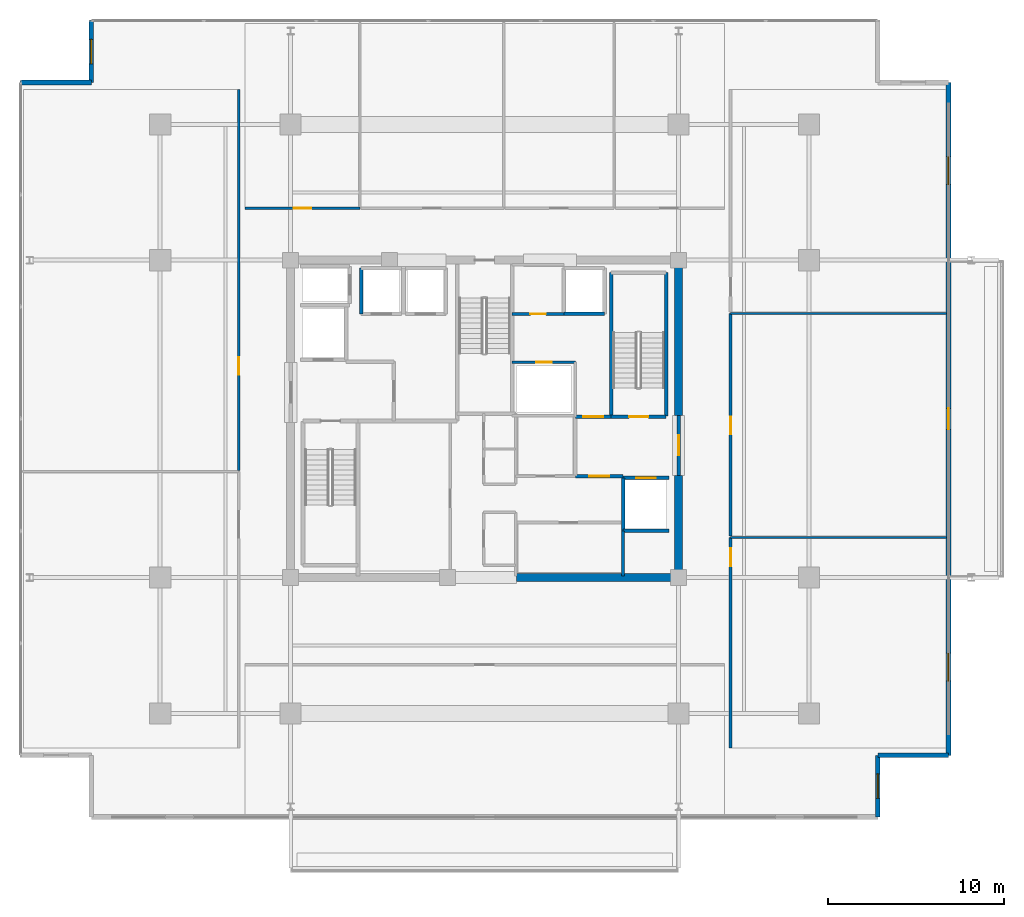
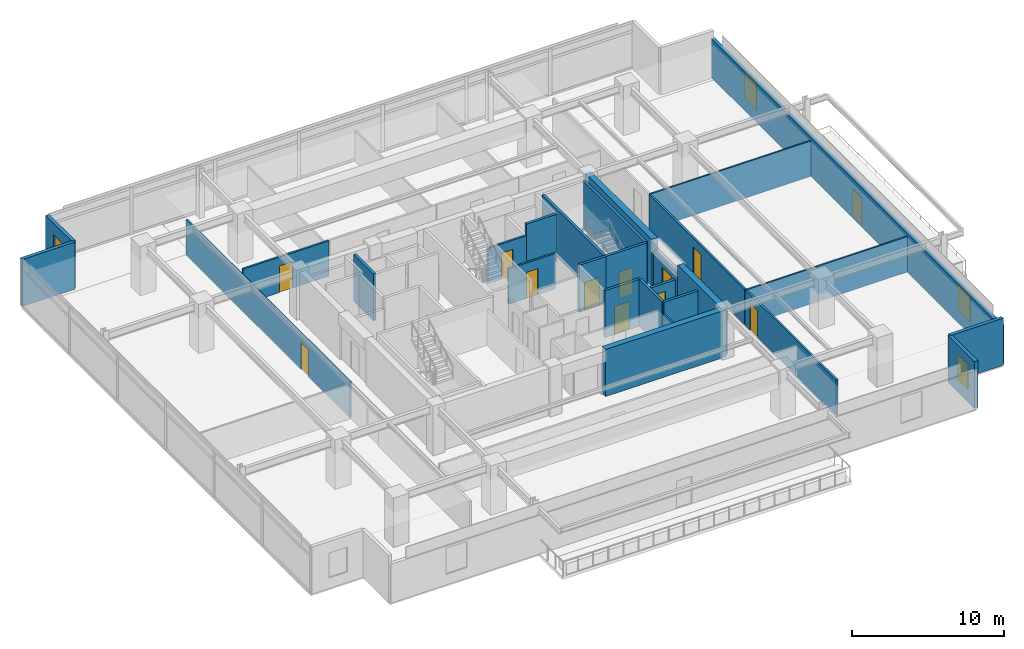
# One storey, part 15 of 21: 28 walls, 12 doors, 4 windows, 16 openings.
"""IFC4 building model written with IfcOpenShell, lengths in metres."""

from ifc_helpers import new_model, si_unit, direction, frame, frame_2d, origin, place, context, subcontext, project, spatial, rectangle, extrude, material, layer, layer_set, type_object, element, fill, save


model = new_model("IFC4")

# Units and contexts
model_context = context("Model", 3, precision=1e-05, world=origin(), true_north=direction((0.0, 1.0)))
body_context = subcontext(model_context, "Body", "Model", "MODEL_VIEW")
ifc_project = project(units=[si_unit("LENGTHUNIT", "METRE"), si_unit("AREAUNIT", "SQUARE_METRE"), si_unit("VOLUMEUNIT", "CUBIC_METRE"), si_unit("PLANEANGLEUNIT", "RADIAN"), si_unit("MASSUNIT", "GRAM", prefix="KILO")], contexts=[model_context])

# Site, building, storey
site_placement = place(None, origin())
site = spatial("IfcSite", under=ifc_project, at=site_placement, CompositionType="ELEMENT")
building_placement = place(site_placement, origin())
building = spatial("IfcBuilding", under=site, at=building_placement, Name="Kovane Verandah Tower", CompositionType="ELEMENT")
storey_placement = place(building_placement, frame((0.0, 0.0, 263.199951171875)))
storey = spatial("IfcBuildingStorey", under=building, at=storey_placement, Name="L61", CompositionType="ELEMENT", Elevation=263.199951171875)

# Wall
ifc_material_1 = material(Name="Fire-Rated Gypsum Stud Partition", Category="gypsum")
ifc_layer_1 = layer(ifc_material_1, 0.14990234375)
ifc_layer_set_1 = layer_set([ifc_layer_1], Name="Fire-Rated Gypsum Stud Partition")
wall_type_1 = type_object("IfcWallType", Name="WL-COR-150", PredefinedType="PARTITIONING", material=ifc_layer_set_1)
wall_1_placement = place(storey_placement, frame((47.85009765625, 18.60009765625, 0.0), z_axis=(0.0, 0.0, 1.0), x_axis=(0.0, 1.0, 0.0)))
element("IfcWall", 1, at=wall_1_placement, inside=storey, type_object=wall_type_1, Name="L61 East Core Support East Wall", PredefinedType="PARTITIONING", context=body_context, shape_type="SweptSolid", body=[
    extrude(rectangle(XDim=2.539794921875, YDim=0.14990234375, at=frame_2d((1.27001953125, 0.0))), origin(), (0.0, 0.0, 1.0), 2.85009765625),
])

# Wall, opening, door
wall_2_placement = place(storey_placement, frame((41.56005859375, 30.719970703125, 0.0), z_axis=(0.0, 0.0, 1.0), x_axis=(1.0, 0.0, 0.0)))
wall_2 = element("IfcWall", 2, at=wall_2_placement, inside=storey, type_object=wall_type_1, Name="L61 Combined Chilled Water and Smoke Duct Room Partition", PredefinedType="PARTITIONING", context=body_context, shape_type="SweptSolid", body=[
    extrude(rectangle(XDim=3.58984375, YDim=0.14990234375, at=frame_2d((1.794921875, 0.0))), origin(), (0.0, 0.0, 1.0), 2.85009765625),
])
opening_1_placement = place(wall_2_placement, frame((1.35498046875, 0.0, 0.0)))
opening_1 = element("IfcOpeningElement", 3, at=opening_1_placement, cuts=wall_2, Name="Opening DR-L61-018", PredefinedType="OPENING", context=body_context, shape_type="SweptSolid", body=[
    extrude(rectangle(XDim=0.8798828125, YDim=2.10009765625, at=frame_2d((0.43994140625, 1.050048828125))), frame((0.0, 0.074951171875, 0.0), z_axis=(0.0, -1.0, 0.0), x_axis=(1.0, 0.0, 0.0)), (0.0, 0.0, 1.0), 0.14990234375),
])
ifc_material_2 = material(Name="Fire-Rated Steel Riser Access Door", Category="steel")
door_type_1 = type_object("IfcDoorType", Name="DR-RISER-880", OperationType="SINGLE_SWING_LEFT", PredefinedType="DOOR", material=ifc_material_2)
door_1_placement = place(opening_1_placement, origin())
door_1 = element("IfcDoor", 4, at=door_1_placement, inside=storey, type_object=door_type_1, Name="L61 Combined Chilled Water and Smoke Duct Room Door", OperationType="SINGLE_SWING_RIGHT", OverallHeight=2.10009765625, OverallWidth=0.8798828125, PredefinedType="DOOR", context=body_context, shape_type="SweptSolid", body=[
    extrude(rectangle(XDim=0.8798828125, YDim=2.10009765625, at=frame_2d((0.43994140625, 1.050048828125))), frame((0.0, 0.02490234375, 0.0), z_axis=(0.0, -1.0, 0.0), x_axis=(1.0, 0.0, 0.0)), (0.0, 0.0, 1.0), 0.050048828125),
])
fill(opening_1, door_1)

wall_3_placement = place(storey_placement, frame((41.56005859375, 33.449951171875, 0.0), z_axis=(0.0, 0.0, 1.0), x_axis=(1.0, 0.0, 0.0)))
wall_3 = element("IfcWall", 5, at=wall_3_placement, inside=storey, type_object=wall_type_1, Name="L61 Sky Telecom Riser Room Partition", PredefinedType="PARTITIONING", context=body_context, shape_type="SweptSolid", body=[
    extrude(rectangle(XDim=2.93994140625, YDim=0.14990234375, at=frame_2d((1.469970703125, 0.0))), origin(), (0.0, 0.0, 1.0), 2.85009765625),
])
opening_2_placement = place(wall_3_placement, frame((1.030029296875, 0.0, 0.0)))
opening_2 = element("IfcOpeningElement", 6, at=opening_2_placement, cuts=wall_3, Name="Opening DR-L61-017", PredefinedType="OPENING", context=body_context, shape_type="SweptSolid", body=[
    extrude(rectangle(XDim=0.8798828125, YDim=2.10009765625, at=frame_2d((0.43994140625, 1.050048828125))), frame((0.0, 0.074951171875, 0.0), z_axis=(0.0, -1.0, 0.0), x_axis=(1.0, 0.0, 0.0)), (0.0, 0.0, 1.0), 0.14990234375),
])
door_2_placement = place(opening_2_placement, origin())
door_2 = element("IfcDoor", 7, at=door_2_placement, inside=storey, type_object=door_type_1, Name="L61 Sky Telecom Riser Room Door", OperationType="SINGLE_SWING_LEFT", OverallHeight=2.10009765625, OverallWidth=0.8798828125, PredefinedType="DOOR", context=body_context, shape_type="SweptSolid", body=[
    extrude(rectangle(XDim=0.8798828125, YDim=2.10009765625, at=frame_2d((0.43994140625, 1.050048828125))), frame((0.0, 0.02490234375, 0.0), z_axis=(0.0, -1.0, 0.0), x_axis=(1.0, 0.0, 0.0)), (0.0, 0.0, 1.0), 0.050048828125),
])
fill(opening_2, door_2)

wall_4_placement = place(storey_placement, frame((26.39990234375, 39.449951171875, 0.0), z_axis=(0.0, 0.0, 1.0), x_axis=(1.0, 0.0, 0.0)))
wall_4 = element("IfcWall", 8, at=wall_4_placement, inside=storey, type_object=wall_type_1, Name="L61 Breakout Pantry N1 Corridor Partition", PredefinedType="PARTITIONING", context=body_context, shape_type="SweptSolid", body=[
    extrude(rectangle(XDim=6.528076171875, YDim=0.14990234375, at=frame_2d((3.26416015625, 0.0))), origin(), (0.0, 0.0, 1.0), 2.85009765625),
])
opening_3_placement = place(wall_4_placement, frame((2.779052734375, 0.0, 0.0)))
opening_3 = element("IfcOpeningElement", 9, at=opening_3_placement, cuts=wall_4, Name="Opening DR-L61-019", PredefinedType="OPENING", context=body_context, shape_type="SweptSolid", body=[
    extrude(rectangle(XDim=1.0, YDim=2.14990234375, at=frame_2d((0.5, 1.074951171875))), frame((0.0, 0.074951171875, 0.0), z_axis=(0.0, -1.0, 0.0), x_axis=(1.0, 0.0, 0.0)), (0.0, 0.0, 1.0), 0.14990234375),
])
ifc_material_3 = material(Name="FSC Spotted-Gum Timber Fire-Rated Office Door", Category="wood")
door_type_2 = type_object("IfcDoorType", Name="DR-OFF-1000", OperationType="SINGLE_SWING_LEFT", PredefinedType="DOOR", material=ifc_material_3)
door_3_placement = place(opening_3_placement, origin())
door_3 = element("IfcDoor", 10, at=door_3_placement, inside=storey, type_object=door_type_2, Name="L61 Breakout Pantry N1 Entrance Door", OperationType="SINGLE_SWING_RIGHT", OverallHeight=2.14990234375, OverallWidth=1.0, PredefinedType="DOOR", context=body_context, shape_type="SweptSolid", body=[
    extrude(rectangle(XDim=1.0, YDim=2.14990234375, at=frame_2d((0.5, 1.074951171875))), frame((0.0, 0.02490234375, 0.0), z_axis=(0.0, -1.0, 0.0), x_axis=(1.0, 0.0, 0.0)), (0.0, 0.0, 1.0), 0.050048828125),
])
fill(opening_3, door_3)

wall_5_placement = place(storey_placement, frame((26.050048828125, 24.581298828125, 0.0), z_axis=(0.0, 0.0, 1.0), x_axis=(0.0, 1.0, 0.0)))
wall_5 = element("IfcWall", 11, at=wall_5_placement, inside=storey, type_object=wall_type_1, Name="L61 Meeting Room W2 Corridor Partition", PredefinedType="PARTITIONING", context=body_context, shape_type="SweptSolid", body=[
    extrude(rectangle(XDim=21.5986328125, YDim=0.14990234375, at=frame_2d((10.79931640625, 0.0))), origin(), (0.0, 0.0, 1.0), 2.85009765625),
])
opening_4_placement = place(wall_5_placement, frame((5.409423828125, 0.0, 0.0)))
opening_4 = element("IfcOpeningElement", 12, at=opening_4_placement, cuts=wall_5, Name="Opening DR-L61-028", PredefinedType="OPENING", context=body_context, shape_type="SweptSolid", body=[
    extrude(rectangle(XDim=1.0, YDim=2.14990234375, at=frame_2d((0.5, 1.074951171875))), frame((0.0, 0.074951171875, 0.0), z_axis=(0.0, -1.0, 0.0), x_axis=(1.0, 0.0, 0.0)), (0.0, 0.0, 1.0), 0.14990234375),
])
door_4_placement = place(opening_4_placement, origin())
door_4 = element("IfcDoor", 13, at=door_4_placement, inside=storey, type_object=door_type_2, Name="L61 Meeting Room W2 Entrance Door", OperationType="SINGLE_SWING_RIGHT", OverallHeight=2.14990234375, OverallWidth=1.0, PredefinedType="DOOR", context=body_context, shape_type="SweptSolid", body=[
    extrude(rectangle(XDim=1.0, YDim=2.14990234375, at=frame_2d((0.5, 1.074951171875))), frame((0.0, 0.02490234375, 0.0), z_axis=(0.0, -1.0, 0.0), x_axis=(1.0, 0.0, 0.0)), (0.0, 0.0, 1.0), 0.050048828125),
])
fill(opening_4, door_4)

wall_6_placement = place(storey_placement, frame((53.949951171875, 8.820068359375, 0.0), z_axis=(0.0, 0.0, 1.0), x_axis=(0.0, 1.0, 0.0)))
wall_6 = element("IfcWall", 14, at=wall_6_placement, inside=storey, type_object=wall_type_1, Name="L61 Focus Studio E1 Corridor Partition", PredefinedType="PARTITIONING", context=body_context, shape_type="SweptSolid", body=[
    extrude(rectangle(XDim=11.955078125, YDim=0.14990234375, at=frame_2d((5.9775390625, 0.0))), origin(), (0.0, 0.0, 1.0), 2.85009765625),
])
opening_5_placement = place(wall_6_placement, frame((10.33251953125, 0.0, 0.0)))
opening_5 = element("IfcOpeningElement", 15, at=opening_5_placement, cuts=wall_6, Name="Opening DR-L61-011", PredefinedType="OPENING", context=body_context, shape_type="SweptSolid", body=[
    extrude(rectangle(XDim=1.0, YDim=2.14990234375, at=frame_2d((0.5, 1.074951171875))), frame((0.0, 0.074951171875, 0.0), z_axis=(0.0, -1.0, 0.0), x_axis=(1.0, 0.0, 0.0)), (0.0, 0.0, 1.0), 0.14990234375),
])
door_5_placement = place(opening_5_placement, origin())
door_5 = element("IfcDoor", 16, at=door_5_placement, inside=storey, type_object=door_type_2, Name="L61 Focus Studio E1 Entrance Door", OperationType="SINGLE_SWING_LEFT", OverallHeight=2.14990234375, OverallWidth=1.0, PredefinedType="DOOR", context=body_context, shape_type="SweptSolid", body=[
    extrude(rectangle(XDim=1.0, YDim=2.14990234375, at=frame_2d((0.5, 1.074951171875))), frame((0.0, 0.02490234375, 0.0), z_axis=(0.0, -1.0, 0.0), x_axis=(1.0, 0.0, 0.0)), (0.0, 0.0, 1.0), 0.050048828125),
])
fill(opening_5, door_5)

wall_7_placement = place(storey_placement, frame((53.949951171875, 20.84521484375, 0.0), z_axis=(0.0, 0.0, 1.0), x_axis=(0.0, 1.0, 0.0)))
wall_7 = element("IfcWall", 17, at=wall_7_placement, inside=storey, type_object=wall_type_1, Name="L61 Breakout Pantry E2 Corridor Partition", PredefinedType="PARTITIONING", context=body_context, shape_type="SweptSolid", body=[
    extrude(rectangle(XDim=12.63232421875, YDim=0.14990234375, at=frame_2d((6.316162109375, 0.0))), origin(), (0.0, 0.0, 1.0), 2.85009765625),
])
opening_6_placement = place(wall_7_placement, frame((5.78125, 0.0, 0.0)))
opening_6 = element("IfcOpeningElement", 18, at=opening_6_placement, cuts=wall_7, Name="Opening DR-L61-012", PredefinedType="OPENING", context=body_context, shape_type="SweptSolid", body=[
    extrude(rectangle(XDim=1.0, YDim=2.14990234375, at=frame_2d((0.5, 1.074951171875))), frame((0.0, 0.074951171875, 0.0), z_axis=(0.0, -1.0, 0.0), x_axis=(1.0, 0.0, 0.0)), (0.0, 0.0, 1.0), 0.14990234375),
])
door_6_placement = place(opening_6_placement, origin())
door_6 = element("IfcDoor", 19, at=door_6_placement, inside=storey, type_object=door_type_2, Name="L61 Breakout Pantry E2 Entrance Door", OperationType="SINGLE_SWING_RIGHT", OverallHeight=2.14990234375, OverallWidth=1.0, PredefinedType="DOOR", context=body_context, shape_type="SweptSolid", body=[
    extrude(rectangle(XDim=1.0, YDim=2.14990234375, at=frame_2d((0.5, 1.074951171875))), frame((0.0, 0.02490234375, 0.0), z_axis=(0.0, -1.0, 0.0), x_axis=(1.0, 0.0, 0.0)), (0.0, 0.0, 1.0), 0.050048828125),
])
fill(opening_6, door_6)

# Walls
ifc_material_4 = material(Name="Concrete C60/75", Category="concrete")
ifc_layer_2 = layer(ifc_material_4, 0.449951171875)
ifc_layer_set_2 = layer_set([ifc_layer_2], Name="Concrete C60/75")
wall_type_2 = type_object("IfcWallType", Name="WL-CORE-450", PredefinedType="SHEAR", material=ifc_layer_set_2)
wall_8_placement = place(storey_placement, frame((41.800048828125, 18.5, 0.0), z_axis=(0.0, 0.0, 1.0), x_axis=(1.0, 0.0, 0.0)))
element("IfcWall", 20, at=wall_8_placement, inside=storey, type_object=wall_type_2, Name="L61 Core Shear Wall CS-2", PredefinedType="SHEAR", context=body_context, shape_type="SweptSolid", body=[
    extrude(rectangle(XDim=9.199951171875, YDim=0.449951171875, at=frame_2d((4.60009765625, 0.0))), origin(), (0.0, 0.0, 1.0), 3.78515625),
])
wall_9_placement = place(storey_placement, frame((51.0, 18.5, 0.0), z_axis=(0.0, 0.0, 1.0), x_axis=(0.0, 1.0, 0.0)))
element("IfcWall", 21, at=wall_9_placement, inside=storey, type_object=wall_type_2, Name="L61 Core Shear Wall CE-1", PredefinedType="SHEAR", context=body_context, shape_type="SweptSolid", body=[
    extrude(rectangle(XDim=5.800048828125, YDim=0.449951171875, at=frame_2d((2.89990234375, 0.0))), origin(), (0.0, 0.0, 1.0), 3.78515625),
])
wall_10_placement = place(storey_placement, frame((51.0, 27.699951171875, 0.0), z_axis=(0.0, 0.0, 1.0), x_axis=(0.0, 1.0, 0.0)))
element("IfcWall", 22, at=wall_10_placement, inside=storey, type_object=wall_type_2, Name="L61 Core Shear Wall CE-2", PredefinedType="SHEAR", context=body_context, shape_type="SweptSolid", body=[
    extrude(rectangle(XDim=8.800048828125, YDim=0.449951171875, at=frame_2d((4.39990234375, 0.0))), origin(), (0.0, 0.0, 1.0), 3.78515625),
])

# Wall, opening, door
ifc_material_5 = material(Name="Concrete C45/55 Fire Wall", Category="concrete")
ifc_layer_3 = layer(ifc_material_5, 0.199951171875)
ifc_layer_set_3 = layer_set([ifc_layer_3], Name="Concrete C45/55 Fire Wall")
wall_type_3 = type_object("IfcWallType", Name="WL-FFL-200", PredefinedType="PARTITIONING", material=ifc_layer_set_3)
wall_11_placement = place(storey_placement, frame((45.14990234375, 24.25, 0.0), z_axis=(0.0, 0.0, 1.0), x_axis=(1.0, 0.0, 0.0)))
wall_11 = element("IfcWall", 23, at=wall_11_placement, inside=storey, type_object=wall_type_3, Name="W-L61-FFLE-S", PredefinedType="PARTITIONING", context=body_context, shape_type="SweptSolid", body=[
    extrude(rectangle(XDim=2.7001953125, YDim=0.199951171875, at=frame_2d((1.35009765625, 0.0))), origin(), (0.0, 0.0, 1.0), 3.78515625),
])
opening_7_placement = place(wall_11_placement, frame((0.77490234375, 0.0, 0.0)))
opening_7 = element("IfcOpeningElement", 24, at=opening_7_placement, cuts=wall_11, Name="Opening DR-L61-003", PredefinedType="OPENING", context=body_context, shape_type="SweptSolid", body=[
    extrude(rectangle(XDim=1.14990234375, YDim=2.199951171875, at=frame_2d((0.574951171875, 1.10009765625))), frame((0.0, 0.10009765625, 0.0), z_axis=(0.0, -1.0, 0.0), x_axis=(1.0, 0.0, 0.0)), (0.0, 0.0, 1.0), 0.199951171875),
])
ifc_material_6 = material(Name="Smoke-Sealed Firefighting Lobby Door", Category="steel")
door_type_3 = type_object("IfcDoorType", Name="DR-FFL-1150", OperationType="SINGLE_SWING_LEFT", PredefinedType="DOOR", material=ifc_material_6)
door_7_placement = place(opening_7_placement, origin())
door_7 = element("IfcDoor", 25, at=door_7_placement, inside=storey, type_object=door_type_3, Name="L61 East Firefighting Lobby Inner Door", OperationType="SINGLE_SWING_RIGHT", OverallHeight=2.199951171875, OverallWidth=1.14990234375, PredefinedType="DOOR", context=body_context, shape_type="SweptSolid", body=[
    extrude(rectangle(XDim=1.14990234375, YDim=2.199951171875, at=frame_2d((0.574951171875, 1.10009765625))), frame((0.0, 0.02490234375, 0.0), z_axis=(0.0, -1.0, 0.0), x_axis=(1.0, 0.0, 0.0)), (0.0, 0.0, 1.0), 0.050048828125),
])
fill(opening_7, door_7)

wall_12_placement = place(storey_placement, frame((45.14990234375, 27.6201171875, 0.0), z_axis=(0.0, 0.0, 1.0), x_axis=(1.0, 0.0, 0.0)))
wall_12 = element("IfcWall", 26, at=wall_12_placement, inside=storey, type_object=wall_type_3, Name="W-L61-FFLE-N", PredefinedType="PARTITIONING", context=body_context, shape_type="SweptSolid", body=[
    extrude(rectangle(XDim=2.030029296875, YDim=0.199951171875, at=frame_2d((1.01513671875, 0.0))), origin(), (0.0, 0.0, 1.0), 3.78515625),
])
opening_8_placement = place(wall_12_placement, frame((0.43994140625, 0.0, 0.0)))
opening_8 = element("IfcOpeningElement", 27, at=opening_8_placement, cuts=wall_12, Name="Opening DR-L61-004", PredefinedType="OPENING", context=body_context, shape_type="SweptSolid", body=[
    extrude(rectangle(XDim=1.14990234375, YDim=2.199951171875, at=frame_2d((0.574951171875, 1.10009765625))), frame((0.0, 0.10009765625, 0.0), z_axis=(0.0, -1.0, 0.0), x_axis=(1.0, 0.0, 0.0)), (0.0, 0.0, 1.0), 0.199951171875),
])
door_8_placement = place(opening_8_placement, origin())
door_8 = element("IfcDoor", 28, at=door_8_placement, inside=storey, type_object=door_type_3, Name="L61 East Firefighting Lobby Shuttle Link Door", OperationType="SINGLE_SWING_LEFT", OverallHeight=2.199951171875, OverallWidth=1.14990234375, PredefinedType="DOOR", context=body_context, shape_type="SweptSolid", body=[
    extrude(rectangle(XDim=1.14990234375, YDim=2.199951171875, at=frame_2d((0.574951171875, 1.10009765625))), frame((0.0, 0.02490234375, 0.0), z_axis=(0.0, -1.0, 0.0), x_axis=(1.0, 0.0, 0.0)), (0.0, 0.0, 1.0), 0.050048828125),
])
fill(opening_8, door_8)

wall_13_placement = place(storey_placement, frame((51.0, 24.300048828125, 0.0), z_axis=(0.0, 0.0, 1.0), x_axis=(0.0, 1.0, 0.0)))
wall_13 = element("IfcWall", 29, at=wall_13_placement, inside=storey, type_object=wall_type_3, Name="W-L61-FFLE-OUT", PredefinedType="PARTITIONING", context=body_context, shape_type="SweptSolid", body=[
    extrude(rectangle(XDim=3.39990234375, YDim=0.199951171875, at=frame_2d((1.699951171875, 0.0))), origin(), (0.0, 0.0, 1.0), 2.864990234375),
])
opening_9_placement = place(wall_13_placement, frame((1.125, 0.0, 0.0)))
opening_9 = element("IfcOpeningElement", 30, at=opening_9_placement, cuts=wall_13, Name="Opening DR-L61-005", PredefinedType="OPENING", context=body_context, shape_type="SweptSolid", body=[
    extrude(rectangle(XDim=1.14990234375, YDim=2.199951171875, at=frame_2d((0.574951171875, 1.10009765625))), frame((0.0, 0.10009765625, 0.0), z_axis=(0.0, -1.0, 0.0), x_axis=(1.0, 0.0, 0.0)), (0.0, 0.0, 1.0), 0.199951171875),
])
door_9_placement = place(opening_9_placement, origin())
door_9 = element("IfcDoor", 31, at=door_9_placement, inside=storey, type_object=door_type_3, Name="L61 East Firefighting Lobby Corridor Door", OperationType="SINGLE_SWING_LEFT", OverallHeight=2.199951171875, OverallWidth=1.14990234375, PredefinedType="DOOR", context=body_context, shape_type="SweptSolid", body=[
    extrude(rectangle(XDim=1.14990234375, YDim=2.199951171875, at=frame_2d((0.574951171875, 1.10009765625))), frame((0.0, 0.02490234375, 0.0), z_axis=(0.0, -1.0, 0.0), x_axis=(1.0, 0.0, 0.0)), (0.0, 0.0, 1.0), 0.050048828125),
])
fill(opening_9, door_9)

# Wall
ifc_material_7 = material(Name="Concrete C45/55 Lift Shaft Wall", Category="concrete")
ifc_layer_4 = layer(ifc_material_7, 0.199951171875)
ifc_layer_set_4 = layer_set([ifc_layer_4], Name="Concrete C45/55 Lift Shaft Wall")
wall_type_4 = type_object("IfcWallType", Name="WL-LIFT-200", PredefinedType="SOLIDWALL", material=ifc_layer_set_4)
wall_14_placement = place(storey_placement, frame((47.85009765625, 21.14990234375, 0.0), z_axis=(0.0, 0.0, 1.0), x_axis=(1.0, 0.0, 0.0)))
element("IfcWall", 32, at=wall_14_placement, inside=storey, type_object=wall_type_4, Name="L61 Lift FL-02 S Shaft Wall", PredefinedType="SOLIDWALL", context=body_context, shape_type="SweptSolid", body=[
    extrude(rectangle(XDim=2.599853515625, YDim=0.199951171875, at=frame_2d((1.2998046875, 0.0))), origin(), (0.0, 0.0, 1.0), 3.78515625),
])

# Wall, opening, door
wall_15_placement = place(storey_placement, frame((50.449951171875, 24.14990234375, 0.0), z_axis=(0.0, 0.0, 1.0), x_axis=(-1.0, 0.0, 0.0)))
wall_15 = element("IfcWall", 33, at=wall_15_placement, inside=storey, type_object=wall_type_4, Name="L61 Lift FL-02 N Shaft Wall", PredefinedType="SOLIDWALL", context=body_context, shape_type="SweptSolid", body=[
    extrude(rectangle(XDim=2.599853515625, YDim=0.199951171875, at=frame_2d((1.2998046875, 0.0))), origin(), (0.0, 0.0, 1.0), 2.864990234375),
])
opening_10_placement = place(wall_15_placement, frame((0.75, 0.0, 0.0)))
opening_10 = element("IfcOpeningElement", 34, at=opening_10_placement, cuts=wall_15, Name="Opening LD-L61-002", PredefinedType="OPENING", context=body_context, shape_type="SweptSolid", body=[
    extrude(rectangle(XDim=1.10009765625, YDim=2.199951171875, at=frame_2d((0.550048828125, 1.10009765625))), frame((0.0, 0.10009765625, 0.0), z_axis=(0.0, -1.0, 0.0), x_axis=(1.0, 0.0, 0.0)), (0.0, 0.0, 1.0), 0.199951171875),
])
ifc_material_8 = material(Name="Brushed Stainless Steel Sliding Lift Landing Door", Category="steel")
door_type_4 = type_object("IfcDoorType", Name="DR-LIFT-1100", OperationType="SLIDING_TO_RIGHT", PredefinedType="DOOR", material=ifc_material_8)
door_10_placement = place(opening_10_placement, origin())
door_10 = element("IfcDoor", 35, at=door_10_placement, inside=storey, type_object=door_type_4, Name="L61 Lift FL-02 Sliding Landing Door", OperationType="SLIDING_TO_RIGHT", OverallHeight=2.199951171875, OverallWidth=1.10009765625, PredefinedType="DOOR", context=body_context, shape_type="SweptSolid", body=[
    extrude(rectangle(XDim=1.10009765625, YDim=2.199951171875, at=frame_2d((0.550048828125, 1.10009765625))), frame((0.0, 0.02490234375, 0.0), z_axis=(0.0, -1.0, 0.0), x_axis=(1.0, 0.0, 0.0)), (0.0, 0.0, 1.0), 0.050048828125),
])
fill(opening_10, door_10)

# Walls
wall_16_placement = place(storey_placement, frame((47.85009765625, 24.14990234375, 0.0), z_axis=(0.0, 0.0, 1.0), x_axis=(0.0, -1.0, 0.0)))
element("IfcWall", 36, at=wall_16_placement, inside=storey, type_object=wall_type_4, Name="L61 Lift FL-02 W Shaft Wall", PredefinedType="SOLIDWALL", context=body_context, shape_type="SweptSolid", body=[
    extrude(rectangle(XDim=3.0, YDim=0.199951171875, at=frame_2d((1.5, 0.0))), origin(), (0.0, 0.0, 1.0), 3.78515625),
])
wall_17_placement = place(storey_placement, frame((33.0, 36.050048828125, 0.0), z_axis=(0.0, 0.0, 1.0), x_axis=(0.0, -1.0, 0.0)))
element("IfcWall", 37, at=wall_17_placement, inside=storey, type_object=wall_type_4, Name="L61 Lift PL-H1 W Shaft Wall", PredefinedType="SOLIDWALL", context=body_context, shape_type="SweptSolid", body=[
    extrude(rectangle(XDim=2.60009765625, YDim=0.199951171875, at=frame_2d((1.300048828125, 0.0))), origin(), (0.0, 0.0, 1.0), 3.78515625),
])
wall_18_placement = place(storey_placement, frame((44.5, 33.449951171875, 0.0), z_axis=(0.0, 0.0, 1.0), x_axis=(1.0, 0.0, 0.0)))
element("IfcWall", 38, at=wall_18_placement, inside=storey, type_object=wall_type_4, Name="L61 Lift OL-01 S Shaft Wall", PredefinedType="SOLIDWALL", context=body_context, shape_type="SweptSolid", body=[
    extrude(rectangle(XDim=2.300048828125, YDim=0.199951171875, at=frame_2d((1.14990234375, 0.0))), origin(), (0.0, 0.0, 1.0), 3.78515625),
])
ifc_material_9 = material(Name="Acoustic Fire-Rated Gypsum Partition", Category="gypsum")
ifc_layer_5 = layer(ifc_material_9, 0.1201171875)
ifc_layer_set_5 = layer_set([ifc_layer_5], Name="Acoustic Fire-Rated Gypsum Partition")
wall_type_5 = type_object("IfcWallType", Name="WL-PART-120", PredefinedType="PARTITIONING", material=ifc_layer_set_5)
for number, where, z_axis, x_axis, name in (
    (39, (53.949951171875, 20.775146484375, 0.0), (0.0, 0.0, 1.0), (1.0, 0.0, 0.0), "L61 Focus Studio E1 Dividing Partition"),
    (40, (53.949951171875, 33.4775390625, 0.0), (0.0, 0.0, 1.0), (1.0, 0.0, 0.0), "L61 Breakout Pantry E2 Dividing Partition"),
):
    element("IfcWall", number, at=place(storey_placement, frame(where, z_axis=z_axis, x_axis=x_axis)), inside=storey, type_object=wall_type_5, Name=name, PredefinedType="PARTITIONING", context=body_context, shape_type="SweptSolid", body=[
        extrude(rectangle(XDim=12.257568359375, YDim=0.1201171875, at=frame_2d((6.12890625, 0.0))), origin(), (0.0, 0.0, 1.0), 2.85009765625),
    ])
ifc_material_10 = material(Name="Concrete C45/55", Category="concrete")
ifc_layer_6 = layer(ifc_material_10, 0.199951171875)
ifc_layer_set_6 = layer_set([ifc_layer_6], Name="Concrete C45/55")
wall_type_6 = type_object("IfcWallType", Name="WL-SHAFT-200", PredefinedType="SOLIDWALL", material=ifc_layer_set_6)
wall_19_placement = place(storey_placement, frame((50.300048828125, 27.64990234375, 0.0), z_axis=(0.0, 0.0, 1.0), x_axis=(0.0, 1.0, 0.0)))
element("IfcWall", 41, at=wall_19_placement, inside=storey, type_object=wall_type_6, Name="W-L61-ST02-E", PredefinedType="SOLIDWALL", context=body_context, shape_type="SweptSolid", body=[
    extrude(rectangle(XDim=8.150146484375, YDim=0.199951171875, at=frame_2d((4.0751953125, 0.0))), origin(), (0.0, 0.0, 1.0), 3.78515625),
])
wall_20_placement = place(storey_placement, frame((47.179931640625, 27.6201171875, 0.0), z_axis=(0.0, 0.0, 1.0), x_axis=(0.0, 1.0, 0.0)))
element("IfcWall", 42, at=wall_20_placement, inside=storey, type_object=wall_type_6, Name="W-L61-ST02-W", PredefinedType="SOLIDWALL", context=body_context, shape_type="SweptSolid", body=[
    extrude(rectangle(XDim=8.179931640625, YDim=0.199951171875, at=frame_2d((4.08984375, 0.0))), origin(), (0.0, 0.0, 1.0), 3.78515625),
])

# Wall, opening, door
wall_21_placement = place(storey_placement, frame((47.179931640625, 27.6201171875, 0.0), z_axis=(0.0, 0.0, 1.0), x_axis=(1.0, 0.0, 0.0)))
wall_21 = element("IfcWall", 43, at=wall_21_placement, inside=storey, type_object=wall_type_6, Name="W-L61-ST02-S", PredefinedType="SOLIDWALL", context=body_context, shape_type="SweptSolid", body=[
    extrude(rectangle(XDim=3.1201171875, YDim=0.199951171875, at=frame_2d((1.56005859375, 0.0))), origin(), (0.0, 0.0, 1.0), 3.78515625),
])
opening_11_placement = place(wall_21_placement, frame((1.010009765625, 0.0, 0.0)))
opening_11 = element("IfcOpeningElement", 44, at=opening_11_placement, cuts=wall_21, Name="Opening DR-L61-009", PredefinedType="OPENING", context=body_context, shape_type="SweptSolid", body=[
    extrude(rectangle(XDim=1.10009765625, YDim=2.14990234375, at=frame_2d((0.550048828125, 1.074951171875))), frame((0.0, 0.10009765625, 0.0), z_axis=(0.0, -1.0, 0.0), x_axis=(1.0, 0.0, 0.0)), (0.0, 0.0, 1.0), 0.199951171875),
])
ifc_material_11 = material(Name="Fire-Rated Steel Exit Door", Category="steel")
door_type_5 = type_object("IfcDoorType", Name="DR-STAIR-1100", OperationType="SINGLE_SWING_LEFT", PredefinedType="DOOR", material=ifc_material_11)
door_11_placement = place(opening_11_placement, origin())
door_11 = element("IfcDoor", 45, at=door_11_placement, inside=storey, type_object=door_type_5, Name="L61 ST-02 Fire Exit Stair Door", OperationType="SINGLE_SWING_RIGHT", OverallHeight=2.14990234375, OverallWidth=1.10009765625, PredefinedType="DOOR", context=body_context, shape_type="SweptSolid", body=[
    extrude(rectangle(XDim=1.10009765625, YDim=2.14990234375, at=frame_2d((0.550048828125, 1.074951171875))), frame((0.0, 0.02490234375, 0.0), z_axis=(0.0, -1.0, 0.0), x_axis=(1.0, 0.0, 0.0)), (0.0, 0.0, 1.0), 0.050048828125),
])
fill(opening_11, door_11)

# Wall, openings, door, windows
ifc_material_12 = material(Name="Concrete C45/55 Insulated Spandrel Wall", Category="concrete")
ifc_layer_7 = layer(ifc_material_12, 0.260009765625)
ifc_layer_set_7 = layer_set([ifc_layer_7], Name="Concrete C45/55 Insulated Spandrel Wall")
wall_type_7 = type_object("IfcWallType", Name="WL-SPANDREL-260", PredefinedType="PARAPET", material=ifc_layer_set_7)
wall_22_placement = place(storey_placement, frame((66.3076171875, 8.419921875, 0.0), z_axis=(0.0, 0.0, 1.0), x_axis=(0.0, 1.0, 0.0)))
wall_22 = element("IfcWall", 46, at=wall_22_placement, inside=storey, type_object=wall_type_7, Name="L61 E Verandah Access Facade Wall", PredefinedType="PARAPET", context=body_context, shape_type="SweptSolid", body=[
    extrude(rectangle(XDim=38.16015625, YDim=0.260009765625, at=frame_2d((19.080078125, 0.0))), origin(), (0.0, 0.0, 1.0), 3.122802734375),
])
opening_12_placement = place(wall_22_placement, frame((4.199951171875, 0.0, 0.85009765625)))
opening_12 = element("IfcOpeningElement", 47, at=opening_12_placement, cuts=wall_22, Name="Opening W-02", PredefinedType="OPENING", context=body_context, shape_type="SweptSolid", body=[
    extrude(rectangle(XDim=1.60009765625, YDim=2.10009765625, at=frame_2d((0.800048828125, 1.050048828125))), frame((0.0, 0.1298828125, 0.0), z_axis=(0.0, -1.0, 0.0), x_axis=(1.0, 0.0, 0.0)), (0.0, 0.0, 1.0), 0.260009765625),
])
opening_13_placement = place(wall_22_placement, frame((18.47998046875, 0.0, 0.0)))
opening_13 = element("IfcOpeningElement", 48, at=opening_13_placement, cuts=wall_22, Name="Opening DR-L61-001", PredefinedType="OPENING", context=body_context, shape_type="SweptSolid", body=[
    extrude(rectangle(XDim=1.199951171875, YDim=2.199951171875, at=frame_2d((0.60009765625, 1.10009765625))), frame((0.0, 0.1298828125, 0.0), z_axis=(0.0, -1.0, 0.0), x_axis=(1.0, 0.0, 0.0)), (0.0, 0.0, 1.0), 0.260009765625),
])
opening_14_placement = place(wall_22_placement, frame((32.360107421875, 0.0, 0.85009765625)))
opening_14 = element("IfcOpeningElement", 49, at=opening_14_placement, cuts=wall_22, Name="Opening W-02", PredefinedType="OPENING", context=body_context, shape_type="SweptSolid", body=[
    extrude(rectangle(XDim=1.60009765625, YDim=2.10009765625, at=frame_2d((0.800048828125, 1.050048828125))), frame((0.0, 0.1298828125, 0.0), z_axis=(0.0, -1.0, 0.0), x_axis=(1.0, 0.0, 0.0)), (0.0, 0.0, 1.0), 0.260009765625),
])
ifc_material_13 = material(Name="Cyclone-Rated Glazed Balcony Leaf Door", Category="aluminium")
door_type_6 = type_object("IfcDoorType", Name="DR-BAL-1200x2200", OperationType="SINGLE_SWING_LEFT", PredefinedType="DOOR", material=ifc_material_13)
door_12_placement = place(opening_13_placement, origin())
door_12 = element("IfcDoor", 50, at=door_12_placement, inside=storey, type_object=door_type_6, Name="L61 E Planted Balcony Access Door", OperationType="SINGLE_SWING_LEFT", OverallHeight=2.199951171875, OverallWidth=1.199951171875, PredefinedType="DOOR", context=body_context, shape_type="SweptSolid", body=[
    extrude(rectangle(XDim=1.199951171875, YDim=2.199951171875, at=frame_2d((0.60009765625, 1.10009765625))), frame((0.0, 0.02490234375, 0.0), z_axis=(0.0, -1.0, 0.0), x_axis=(1.0, 0.0, 0.0)), (0.0, 0.0, 1.0), 0.050048828125),
])
fill(opening_13, door_12)
ifc_material_14 = material(Name="Clear Low-E Laminated Double Glazing in Anodised Frame", Category="glass")
window_type_1 = type_object("IfcWindowType", Name="WN-OPER-1600x2100", PartitioningType="SINGLE_PANEL", PredefinedType="WINDOW", material=ifc_material_14)
window_1_placement = place(opening_12_placement, origin())
window_1 = element("IfcWindow", 51, at=window_1_placement, inside=storey, type_object=window_type_1, Name="L61 E Verandah View Window 1", OverallHeight=2.10009765625, OverallWidth=1.60009765625, PartitioningType="SINGLE_PANEL", PredefinedType="WINDOW", context=body_context, shape_type="SweptSolid", body=[
    extrude(rectangle(XDim=1.60009765625, YDim=2.10009765625, at=frame_2d((0.800048828125, 1.050048828125))), frame((0.0, 0.030029296875, 0.0), z_axis=(0.0, -1.0, 0.0), x_axis=(1.0, 0.0, 0.0)), (0.0, 0.0, 1.0), 0.06005859375),
])
fill(opening_12, window_1)
window_2_placement = place(opening_14_placement, origin())
window_2 = element("IfcWindow", 52, at=window_2_placement, inside=storey, type_object=window_type_1, Name="L61 E Verandah View Window 2", OverallHeight=2.10009765625, OverallWidth=1.60009765625, PartitioningType="SINGLE_PANEL", PredefinedType="WINDOW", context=body_context, shape_type="SweptSolid", body=[
    extrude(rectangle(XDim=1.60009765625, YDim=2.10009765625, at=frame_2d((0.800048828125, 1.050048828125))), frame((0.0, 0.030029296875, 0.0), z_axis=(0.0, -1.0, 0.0), x_axis=(1.0, 0.0, 0.0)), (0.0, 0.0, 1.0), 0.06005859375),
])
fill(opening_14, window_2)

# Wall, opening, window
wall_23_placement = place(storey_placement, frame((62.3076171875, 4.919921875, 0.0), z_axis=(0.0, 0.0, 1.0), x_axis=(0.0, 1.0, 0.0)))
wall_23 = element("IfcWall", 53, at=wall_23_placement, inside=storey, type_object=wall_type_7, Name="L61 SE Notch Cheek Wall 1", PredefinedType="PARAPET", context=body_context, shape_type="SweptSolid", body=[
    extrude(rectangle(XDim=3.5, YDim=0.260009765625, at=frame_2d((1.75, 0.0))), origin(), (0.0, 0.0, 1.0), 3.78515625),
])
opening_15_placement = place(wall_23_placement, frame((1.050048828125, 0.0, 0.85009765625)))
opening_15 = element("IfcOpeningElement", 54, at=opening_15_placement, cuts=wall_23, Name="Opening W-01", PredefinedType="OPENING", context=body_context, shape_type="SweptSolid", body=[
    extrude(rectangle(XDim=1.39990234375, YDim=2.0, at=frame_2d((0.699951171875, 1.0))), frame((0.0, 0.1298828125, 0.0), z_axis=(0.0, -1.0, 0.0), x_axis=(1.0, 0.0, 0.0)), (0.0, 0.0, 1.0), 0.260009765625),
])
window_type_2 = type_object("IfcWindowType", Name="WN-OPER-1400x2000", PartitioningType="SINGLE_PANEL", PredefinedType="WINDOW", material=ifc_material_14)
window_3_placement = place(opening_15_placement, origin())
window_3 = element("IfcWindow", 55, at=window_3_placement, inside=storey, type_object=window_type_2, Name="L61 SE Re-Entrant Corner Operable Window", OverallHeight=2.0, OverallWidth=1.39990234375, PartitioningType="SINGLE_PANEL", PredefinedType="WINDOW", context=body_context, shape_type="SweptSolid", body=[
    extrude(rectangle(XDim=1.39990234375, YDim=2.0, at=frame_2d((0.699951171875, 1.0))), frame((0.0, 0.030029296875, 0.0), z_axis=(0.0, -1.0, 0.0), x_axis=(1.0, 0.0, 0.0)), (0.0, 0.0, 1.0), 0.06005859375),
])
fill(opening_15, window_3)

# Wall
wall_24_placement = place(storey_placement, frame((62.3076171875, 8.419921875, 0.0), z_axis=(0.0, 0.0, 1.0), x_axis=(1.0, 0.0, 0.0)))
element("IfcWall", 56, at=wall_24_placement, inside=storey, type_object=wall_type_7, Name="L61 SE Notch Cheek Wall 2", PredefinedType="PARAPET", context=body_context, shape_type="SweptSolid", body=[
    extrude(rectangle(XDim=4.0, YDim=0.260009765625, at=frame_2d((2.0, 0.0))), origin(), (0.0, 0.0, 1.0), 3.78515625),
])

# Wall, opening, window
wall_25_placement = place(storey_placement, frame((17.6923828125, 50.080078125, 0.0), z_axis=(0.0, 0.0, 1.0), x_axis=(0.0, -1.0, 0.0)))
wall_25 = element("IfcWall", 57, at=wall_25_placement, inside=storey, type_object=wall_type_7, Name="L61 NW Notch Cheek Wall 1", PredefinedType="PARAPET", context=body_context, shape_type="SweptSolid", body=[
    extrude(rectangle(XDim=3.5, YDim=0.260009765625, at=frame_2d((1.75, 0.0))), origin(), (0.0, 0.0, 1.0), 3.78515625),
])
opening_16_placement = place(wall_25_placement, frame((1.050048828125, 0.0, 0.85009765625)))
opening_16 = element("IfcOpeningElement", 58, at=opening_16_placement, cuts=wall_25, Name="Opening W-01", PredefinedType="OPENING", context=body_context, shape_type="SweptSolid", body=[
    extrude(rectangle(XDim=1.39990234375, YDim=2.0, at=frame_2d((0.699951171875, 1.0))), frame((0.0, 0.1298828125, 0.0), z_axis=(0.0, -1.0, 0.0), x_axis=(1.0, 0.0, 0.0)), (0.0, 0.0, 1.0), 0.260009765625),
])
window_4_placement = place(opening_16_placement, origin())
window_4 = element("IfcWindow", 59, at=window_4_placement, inside=storey, type_object=window_type_2, Name="L61 NW Re-Entrant Corner Operable Window", OverallHeight=2.0, OverallWidth=1.39990234375, PartitioningType="SINGLE_PANEL", PredefinedType="WINDOW", context=body_context, shape_type="SweptSolid", body=[
    extrude(rectangle(XDim=1.39990234375, YDim=2.0, at=frame_2d((0.699951171875, 1.0))), frame((0.0, 0.030029296875, 0.0), z_axis=(0.0, -1.0, 0.0), x_axis=(1.0, 0.0, 0.0)), (0.0, 0.0, 1.0), 0.06005859375),
])
fill(opening_16, window_4)

# Wall
wall_26_placement = place(storey_placement, frame((17.6923828125, 46.580078125, 0.0), z_axis=(0.0, 0.0, 1.0), x_axis=(-1.0, 0.0, 0.0)))
element("IfcWall", 60, at=wall_26_placement, inside=storey, type_object=wall_type_7, Name="L61 NW Notch Cheek Wall 2", PredefinedType="PARAPET", context=body_context, shape_type="SweptSolid", body=[
    extrude(rectangle(XDim=4.0, YDim=0.260009765625, at=frame_2d((2.0, 0.0))), origin(), (0.0, 0.0, 1.0), 3.78515625),
])

save(model, "model.ifc")
